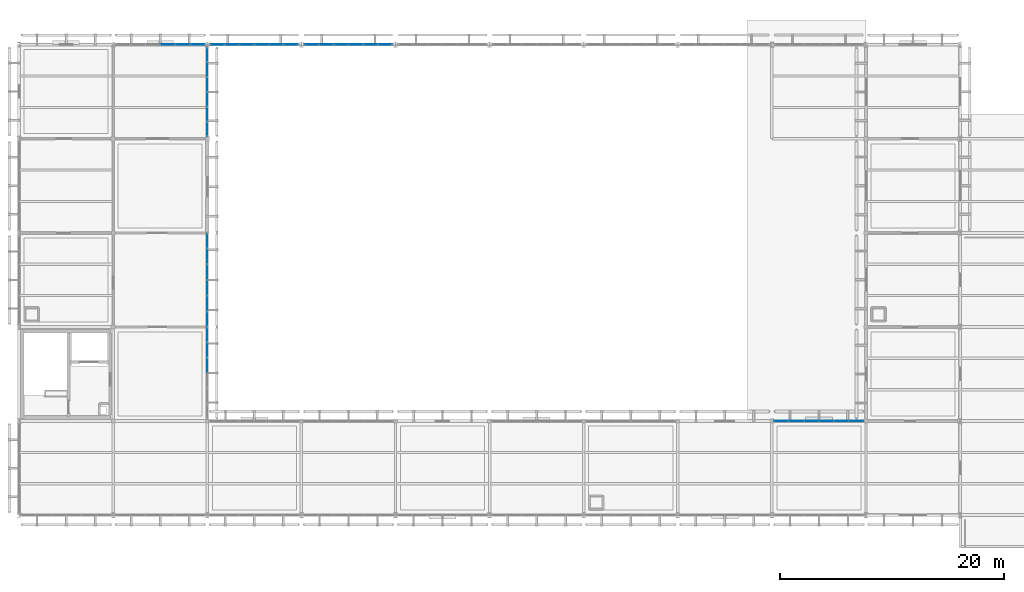
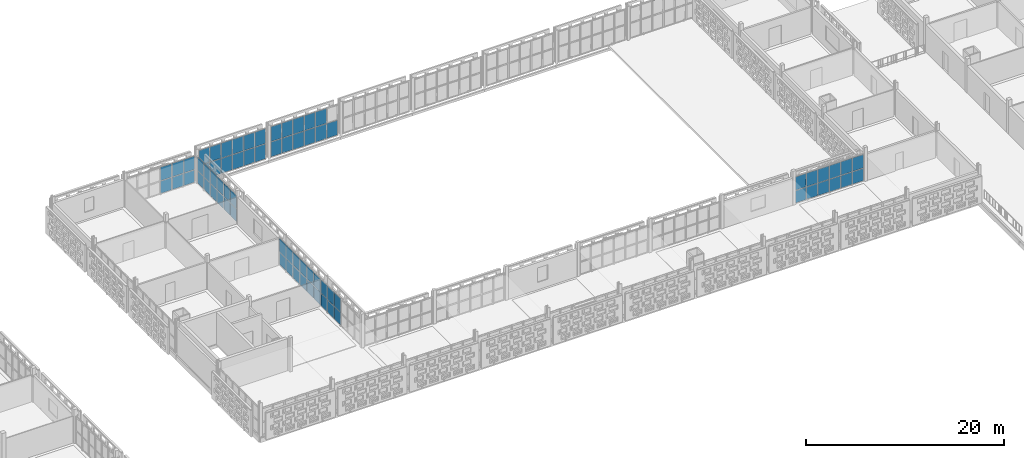
# One storey, part 78 of 140: 71 plates, 7 elements without a shape of their own.
"""IFC4 building model written with IfcOpenShell, lengths in metres."""

from ifc_helpers import new_model, si_unit, direction, frame, origin, origin_2d, place, context, subcontext, project, spatial, rectangle, extrude, material, layer, layer_set, type_object, element, aggregate, save


model = new_model("IFC4")

# Units and contexts
model_context = context("Model", 3, precision=1e-05, world=origin(), true_north=direction((0.0, 1.0)))
body_context = subcontext(model_context, "Body", "Model", "MODEL_VIEW")
ifc_project = project(units=[si_unit("LENGTHUNIT", "METRE"), si_unit("AREAUNIT", "SQUARE_METRE"), si_unit("VOLUMEUNIT", "CUBIC_METRE"), si_unit("PLANEANGLEUNIT", "RADIAN"), si_unit("MASSUNIT", "GRAM", prefix="KILO")], contexts=[model_context])

# Site, building, storey
site_placement = place(None, origin())
site = spatial("IfcSite", under=ifc_project, at=site_placement, CompositionType="ELEMENT")
building_placement = place(site_placement, origin())
building = spatial("IfcBuilding", under=site, at=building_placement, Name="Varnapada Polytechnic", CompositionType="ELEMENT")
storey_placement = place(building_placement, frame((0.0, 0.0, 13.800048828125)))
storey = spatial("IfcBuildingStorey", under=building, at=storey_placement, Name="L03", CompositionType="ELEMENT", Elevation=13.800048828125)

# Curtain wall, plates
ifc_material = material(Name="Double low-E laminated glass", Category="glass")
ifc_layer_1 = layer(ifc_material, 0.159912109375)
ifc_layer_set_1 = layer_set([ifc_layer_1], Name="Double low-E laminated glass")
curtain_wall_type = type_object("IfcCurtainWallType", Name="Curtain Wall CW-02", PredefinedType="NOTDEFINED", material=ifc_layer_set_1)
curtain_wall_1_placement = place(storey_placement, origin())
curtain_wall_1 = element("IfcCurtainWall", 1, at=curtain_wall_1_placement, inside=storey, type_object=curtain_wall_type, Name="L03 unitised curtain wall CW-02 (230)", PredefinedType="NOTDEFINED")
ifc_layer_2 = layer(ifc_material, 0.028076171875)
ifc_layer_set_2 = layer_set([ifc_layer_2], Name="Double low-E laminated glass")
plate_type = type_object("IfcPlateType", Name="Curtain Panel PNL-01", PredefinedType="CURTAIN_PANEL", material=ifc_layer_set_2)
plate_1_placement = place(storey_placement, frame((67.199951171875, 100.09912109375, 0.06005859375), z_axis=(0.0, 0.0, 1.0), x_axis=(0.0, -1.0, 0.0)))
plate_1 = element("IfcPlate", 2, at=plate_1_placement, type_object=plate_type, Name="CW-02 panel 1.1", PredefinedType="CURTAIN_PANEL", context=body_context, shape_type="SweptSolid", body=[
    extrude(rectangle(XDim=1.28173828125, YDim=0.028076171875, at=origin_2d()), origin(), (0.0, 0.0, 1.0), 1.522705078125),
])
plate_2_placement = place(storey_placement, frame((67.199951171875, 100.09912109375, 1.642822265625), z_axis=(0.0, 0.0, 1.0), x_axis=(0.0, -1.0, 0.0)))
plate_2 = element("IfcPlate", 3, at=plate_2_placement, type_object=plate_type, Name="CW-02 panel 1.2", PredefinedType="CURTAIN_PANEL", context=body_context, shape_type="SweptSolid", body=[
    extrude(rectangle(XDim=1.28173828125, YDim=0.028076171875, at=origin_2d()), origin(), (0.0, 0.0, 1.0), 1.6572265625),
])
plate_3_placement = place(storey_placement, frame((67.199951171875, 98.742431640625, 0.06005859375), z_axis=(0.0, 0.0, 1.0), x_axis=(0.0, -1.0, 0.0)))
plate_3 = element("IfcPlate", 4, at=plate_3_placement, type_object=plate_type, Name="CW-02 panel 2.1", PredefinedType="CURTAIN_PANEL", context=body_context, shape_type="SweptSolid", body=[
    extrude(rectangle(XDim=1.311767578125, YDim=0.028076171875, at=origin_2d()), origin(), (0.0, 0.0, 1.0), 1.522705078125),
])
plate_4_placement = place(storey_placement, frame((67.199951171875, 98.742431640625, 1.642822265625), z_axis=(0.0, 0.0, 1.0), x_axis=(0.0, -1.0, 0.0)))
plate_4 = element("IfcPlate", 5, at=plate_4_placement, type_object=plate_type, Name="CW-02 panel 2.2", PredefinedType="CURTAIN_PANEL", context=body_context, shape_type="SweptSolid", body=[
    extrude(rectangle(XDim=1.311767578125, YDim=0.028076171875, at=origin_2d()), origin(), (0.0, 0.0, 1.0), 1.6572265625),
])
plate_5_placement = place(storey_placement, frame((67.199951171875, 97.370849609375, 0.06005859375), z_axis=(0.0, 0.0, 1.0), x_axis=(0.0, -1.0, 0.0)))
plate_5 = element("IfcPlate", 6, at=plate_5_placement, type_object=plate_type, Name="CW-02 panel 3.1", PredefinedType="CURTAIN_PANEL", context=body_context, shape_type="SweptSolid", body=[
    extrude(rectangle(XDim=1.311767578125, YDim=0.028076171875, at=origin_2d()), origin(), (0.0, 0.0, 1.0), 1.522705078125),
])
plate_6_placement = place(storey_placement, frame((67.199951171875, 97.370849609375, 1.642822265625), z_axis=(0.0, 0.0, 1.0), x_axis=(0.0, -1.0, 0.0)))
plate_6 = element("IfcPlate", 7, at=plate_6_placement, type_object=plate_type, Name="CW-02 panel 3.2", PredefinedType="CURTAIN_PANEL", context=body_context, shape_type="SweptSolid", body=[
    extrude(rectangle(XDim=1.311767578125, YDim=0.028076171875, at=origin_2d()), origin(), (0.0, 0.0, 1.0), 1.6572265625),
])
aggregate(curtain_wall_1, [plate_1, plate_2, plate_3, plate_4, plate_5, plate_6])

curtain_wall_2_placement = place(storey_placement, origin())
curtain_wall_2 = element("IfcCurtainWall", 8, at=curtain_wall_2_placement, inside=storey, type_object=curtain_wall_type, Name="L03 unitised curtain wall CW-02 (231)", PredefinedType="NOTDEFINED")
plate_7_placement = place(storey_placement, frame((67.199951171875, 108.485107421875, 0.06005859375), z_axis=(0.0, 0.0, 1.0), x_axis=(0.0, -1.0, 0.0)))
plate_7 = element("IfcPlate", 9, at=plate_7_placement, type_object=plate_type, Name="CW-02 panel 1.1", PredefinedType="CURTAIN_PANEL", context=body_context, shape_type="SweptSolid", body=[
    extrude(rectangle(XDim=1.31005859375, YDim=0.028076171875, at=origin_2d()), origin(), (0.0, 0.0, 1.0), 1.522705078125),
])
plate_8_placement = place(storey_placement, frame((67.199951171875, 108.485107421875, 1.642822265625), z_axis=(0.0, 0.0, 1.0), x_axis=(0.0, -1.0, 0.0)))
plate_8 = element("IfcPlate", 10, at=plate_8_placement, type_object=plate_type, Name="CW-02 panel 1.2", PredefinedType="CURTAIN_PANEL", context=body_context, shape_type="SweptSolid", body=[
    extrude(rectangle(XDim=1.31005859375, YDim=0.028076171875, at=origin_2d()), origin(), (0.0, 0.0, 1.0), 1.6572265625),
])
plate_9_placement = place(storey_placement, frame((67.199951171875, 107.10009765625, 0.06005859375), z_axis=(0.0, 0.0, 1.0), x_axis=(0.0, -1.0, 0.0)))
plate_9 = element("IfcPlate", 11, at=plate_9_placement, type_object=plate_type, Name="CW-02 panel 2.1", PredefinedType="CURTAIN_PANEL", context=body_context, shape_type="SweptSolid", body=[
    extrude(rectangle(XDim=1.340087890625, YDim=0.028076171875, at=origin_2d()), origin(), (0.0, 0.0, 1.0), 1.522705078125),
])
plate_10_placement = place(storey_placement, frame((67.199951171875, 107.10009765625, 1.642822265625), z_axis=(0.0, 0.0, 1.0), x_axis=(0.0, -1.0, 0.0)))
plate_10 = element("IfcPlate", 12, at=plate_10_placement, type_object=plate_type, Name="CW-02 panel 2.2", PredefinedType="CURTAIN_PANEL", context=body_context, shape_type="SweptSolid", body=[
    extrude(rectangle(XDim=1.340087890625, YDim=0.028076171875, at=origin_2d()), origin(), (0.0, 0.0, 1.0), 1.6572265625),
])
plate_11_placement = place(storey_placement, frame((67.199951171875, 105.699951171875, 0.06005859375), z_axis=(0.0, 0.0, 1.0), x_axis=(0.0, -1.0, 0.0)))
plate_11 = element("IfcPlate", 13, at=plate_11_placement, type_object=plate_type, Name="CW-02 panel 3.1", PredefinedType="CURTAIN_PANEL", context=body_context, shape_type="SweptSolid", body=[
    extrude(rectangle(XDim=1.340087890625, YDim=0.028076171875, at=origin_2d()), origin(), (0.0, 0.0, 1.0), 1.522705078125),
])
plate_12_placement = place(storey_placement, frame((67.199951171875, 105.699951171875, 1.642822265625), z_axis=(0.0, 0.0, 1.0), x_axis=(0.0, -1.0, 0.0)))
plate_12 = element("IfcPlate", 14, at=plate_12_placement, type_object=plate_type, Name="CW-02 panel 3.2", PredefinedType="CURTAIN_PANEL", context=body_context, shape_type="SweptSolid", body=[
    extrude(rectangle(XDim=1.340087890625, YDim=0.028076171875, at=origin_2d()), origin(), (0.0, 0.0, 1.0), 1.6572265625),
])
plate_13_placement = place(storey_placement, frame((67.199951171875, 104.300048828125, 0.06005859375), z_axis=(0.0, 0.0, 1.0), x_axis=(0.0, -1.0, 0.0)))
plate_13 = element("IfcPlate", 15, at=plate_13_placement, type_object=plate_type, Name="CW-02 panel 4.1", PredefinedType="CURTAIN_PANEL", context=body_context, shape_type="SweptSolid", body=[
    extrude(rectangle(XDim=1.340087890625, YDim=0.028076171875, at=origin_2d()), origin(), (0.0, 0.0, 1.0), 1.522705078125),
])
plate_14_placement = place(storey_placement, frame((67.199951171875, 104.300048828125, 1.642822265625), z_axis=(0.0, 0.0, 1.0), x_axis=(0.0, -1.0, 0.0)))
plate_14 = element("IfcPlate", 16, at=plate_14_placement, type_object=plate_type, Name="CW-02 panel 4.2", PredefinedType="CURTAIN_PANEL", context=body_context, shape_type="SweptSolid", body=[
    extrude(rectangle(XDim=1.340087890625, YDim=0.028076171875, at=origin_2d()), origin(), (0.0, 0.0, 1.0), 1.6572265625),
])
plate_15_placement = place(storey_placement, frame((67.199951171875, 102.89990234375, 0.06005859375), z_axis=(0.0, 0.0, 1.0), x_axis=(0.0, -1.0, 0.0)))
plate_15 = element("IfcPlate", 17, at=plate_15_placement, type_object=plate_type, Name="CW-02 panel 5.1", PredefinedType="CURTAIN_PANEL", context=body_context, shape_type="SweptSolid", body=[
    extrude(rectangle(XDim=1.340087890625, YDim=0.028076171875, at=origin_2d()), origin(), (0.0, 0.0, 1.0), 1.522705078125),
])
plate_16_placement = place(storey_placement, frame((67.199951171875, 102.89990234375, 1.642822265625), z_axis=(0.0, 0.0, 1.0), x_axis=(0.0, -1.0, 0.0)))
plate_16 = element("IfcPlate", 18, at=plate_16_placement, type_object=plate_type, Name="CW-02 panel 5.2", PredefinedType="CURTAIN_PANEL", context=body_context, shape_type="SweptSolid", body=[
    extrude(rectangle(XDim=1.340087890625, YDim=0.028076171875, at=origin_2d()), origin(), (0.0, 0.0, 1.0), 1.6572265625),
])
plate_17_placement = place(storey_placement, frame((67.199951171875, 101.514892578125, 0.06005859375), z_axis=(0.0, 0.0, 1.0), x_axis=(0.0, -1.0, 0.0)))
plate_17 = element("IfcPlate", 19, at=plate_17_placement, type_object=plate_type, Name="CW-02 panel 6.1", PredefinedType="CURTAIN_PANEL", context=body_context, shape_type="SweptSolid", body=[
    extrude(rectangle(XDim=1.31005859375, YDim=0.028076171875, at=origin_2d()), origin(), (0.0, 0.0, 1.0), 1.522705078125),
])
plate_18_placement = place(storey_placement, frame((67.199951171875, 101.514892578125, 1.642822265625), z_axis=(0.0, 0.0, 1.0), x_axis=(0.0, -1.0, 0.0)))
plate_18 = element("IfcPlate", 20, at=plate_18_placement, type_object=plate_type, Name="CW-02 panel 6.2", PredefinedType="CURTAIN_PANEL", context=body_context, shape_type="SweptSolid", body=[
    extrude(rectangle(XDim=1.31005859375, YDim=0.028076171875, at=origin_2d()), origin(), (0.0, 0.0, 1.0), 1.6572265625),
])
aggregate(curtain_wall_2, [plate_7, plate_8, plate_9, plate_10, plate_11, plate_12, plate_13, plate_14, plate_15, plate_16, plate_17, plate_18])

curtain_wall_3_placement = place(storey_placement, origin())
curtain_wall_3 = element("IfcCurtainWall", 21, at=curtain_wall_3_placement, inside=storey, type_object=curtain_wall_type, Name="L03 unitised curtain wall CW-02 (232)", PredefinedType="NOTDEFINED")
plate_19_placement = place(storey_placement, frame((63.675048828125, 126.0, 0.06005859375), z_axis=(0.0, 0.0, 1.0), x_axis=(1.0, 0.0, 0.0)))
plate_19 = element("IfcPlate", 22, at=plate_19_placement, type_object=plate_type, Name="CW-02 panel 4.1", PredefinedType="CURTAIN_PANEL", context=body_context, shape_type="SweptSolid", body=[
    extrude(rectangle(XDim=1.2900390625, YDim=0.028076171875, at=origin_2d()), origin(), (0.0, 0.0, 1.0), 1.522705078125),
])
plate_20_placement = place(storey_placement, frame((63.675048828125, 126.0, 1.642822265625), z_axis=(0.0, 0.0, 1.0), x_axis=(1.0, 0.0, 0.0)))
plate_20 = element("IfcPlate", 23, at=plate_20_placement, type_object=plate_type, Name="CW-02 panel 4.2", PredefinedType="CURTAIN_PANEL", context=body_context, shape_type="SweptSolid", body=[
    extrude(rectangle(XDim=1.2900390625, YDim=0.028076171875, at=origin_2d()), origin(), (0.0, 0.0, 1.0), 1.6572265625),
])
plate_21_placement = place(storey_placement, frame((65.02490234375, 126.0, 0.06005859375), z_axis=(0.0, 0.0, 1.0), x_axis=(1.0, 0.0, 0.0)))
plate_21 = element("IfcPlate", 24, at=plate_21_placement, type_object=plate_type, Name="CW-02 panel 5.1", PredefinedType="CURTAIN_PANEL", context=body_context, shape_type="SweptSolid", body=[
    extrude(rectangle(XDim=1.2900390625, YDim=0.028076171875, at=origin_2d()), origin(), (0.0, 0.0, 1.0), 1.522705078125),
])
plate_22_placement = place(storey_placement, frame((65.02490234375, 126.0, 1.642822265625), z_axis=(0.0, 0.0, 1.0), x_axis=(1.0, 0.0, 0.0)))
plate_22 = element("IfcPlate", 25, at=plate_22_placement, type_object=plate_type, Name="CW-02 panel 5.2", PredefinedType="CURTAIN_PANEL", context=body_context, shape_type="SweptSolid", body=[
    extrude(rectangle(XDim=1.2900390625, YDim=0.028076171875, at=origin_2d()), origin(), (0.0, 0.0, 1.0), 1.6572265625),
])
plate_23_placement = place(storey_placement, frame((66.360107421875, 126.0, 0.06005859375), z_axis=(0.0, 0.0, 1.0), x_axis=(1.0, 0.0, 0.0)))
plate_23 = element("IfcPlate", 26, at=plate_23_placement, type_object=plate_type, Name="CW-02 panel 6.1", PredefinedType="CURTAIN_PANEL", context=body_context, shape_type="SweptSolid", body=[
    extrude(rectangle(XDim=1.260009765625, YDim=0.028076171875, at=origin_2d()), origin(), (0.0, 0.0, 1.0), 1.522705078125),
])
plate_24_placement = place(storey_placement, frame((66.360107421875, 126.0, 1.642822265625), z_axis=(0.0, 0.0, 1.0), x_axis=(1.0, 0.0, 0.0)))
plate_24 = element("IfcPlate", 27, at=plate_24_placement, type_object=plate_type, Name="CW-02 panel 6.2", PredefinedType="CURTAIN_PANEL", context=body_context, shape_type="SweptSolid", body=[
    extrude(rectangle(XDim=1.260009765625, YDim=0.028076171875, at=origin_2d()), origin(), (0.0, 0.0, 1.0), 1.6572265625),
])
aggregate(curtain_wall_3, [plate_19, plate_20, plate_21, plate_22, plate_23, plate_24])

curtain_wall_4_placement = place(storey_placement, origin())
curtain_wall_4 = element("IfcCurtainWall", 28, at=curtain_wall_4_placement, inside=storey, type_object=curtain_wall_type, Name="L03 unitised curtain wall CW-02 (233)", PredefinedType="NOTDEFINED")
plate_25_placement = place(storey_placement, frame((67.199951171875, 125.09375, 0.06005859375), z_axis=(0.0, 0.0, 1.0), x_axis=(0.0, -1.0, 0.0)))
plate_25 = element("IfcPlate", 29, at=plate_25_placement, type_object=plate_type, Name="CW-02 panel 1.1", PredefinedType="CURTAIN_PANEL", context=body_context, shape_type="SweptSolid", body=[
    extrude(rectangle(XDim=1.242431640625, YDim=0.028076171875, at=origin_2d()), origin(), (0.0, 0.0, 1.0), 1.522705078125),
])
plate_26_placement = place(storey_placement, frame((67.199951171875, 125.09375, 1.642822265625), z_axis=(0.0, 0.0, 1.0), x_axis=(0.0, -1.0, 0.0)))
plate_26 = element("IfcPlate", 30, at=plate_26_placement, type_object=plate_type, Name="CW-02 panel 1.2", PredefinedType="CURTAIN_PANEL", context=body_context, shape_type="SweptSolid", body=[
    extrude(rectangle(XDim=1.242431640625, YDim=0.028076171875, at=origin_2d()), origin(), (0.0, 0.0, 1.0), 1.6572265625),
])
plate_27_placement = place(storey_placement, frame((67.199951171875, 123.7763671875, 0.06005859375), z_axis=(0.0, 0.0, 1.0), x_axis=(0.0, -1.0, 0.0)))
plate_27 = element("IfcPlate", 31, at=plate_27_placement, type_object=plate_type, Name="CW-02 panel 2.1", PredefinedType="CURTAIN_PANEL", context=body_context, shape_type="SweptSolid", body=[
    extrude(rectangle(XDim=1.2724609375, YDim=0.028076171875, at=origin_2d()), origin(), (0.0, 0.0, 1.0), 1.522705078125),
])
plate_28_placement = place(storey_placement, frame((67.199951171875, 123.7763671875, 1.642822265625), z_axis=(0.0, 0.0, 1.0), x_axis=(0.0, -1.0, 0.0)))
plate_28 = element("IfcPlate", 32, at=plate_28_placement, type_object=plate_type, Name="CW-02 panel 2.2", PredefinedType="CURTAIN_PANEL", context=body_context, shape_type="SweptSolid", body=[
    extrude(rectangle(XDim=1.2724609375, YDim=0.028076171875, at=origin_2d()), origin(), (0.0, 0.0, 1.0), 1.6572265625),
])
plate_29_placement = place(storey_placement, frame((67.199951171875, 122.44384765625, 0.06005859375), z_axis=(0.0, 0.0, 1.0), x_axis=(0.0, -1.0, 0.0)))
plate_29 = element("IfcPlate", 33, at=plate_29_placement, type_object=plate_type, Name="CW-02 panel 3.1", PredefinedType="CURTAIN_PANEL", context=body_context, shape_type="SweptSolid", body=[
    extrude(rectangle(XDim=1.2724609375, YDim=0.028076171875, at=origin_2d()), origin(), (0.0, 0.0, 1.0), 1.522705078125),
])
plate_30_placement = place(storey_placement, frame((67.199951171875, 122.44384765625, 1.642822265625), z_axis=(0.0, 0.0, 1.0), x_axis=(0.0, -1.0, 0.0)))
plate_30 = element("IfcPlate", 34, at=plate_30_placement, type_object=plate_type, Name="CW-02 panel 3.2", PredefinedType="CURTAIN_PANEL", context=body_context, shape_type="SweptSolid", body=[
    extrude(rectangle(XDim=1.2724609375, YDim=0.028076171875, at=origin_2d()), origin(), (0.0, 0.0, 1.0), 1.6572265625),
])
plate_31_placement = place(storey_placement, frame((67.199951171875, 121.111328125, 0.06005859375), z_axis=(0.0, 0.0, 1.0), x_axis=(0.0, -1.0, 0.0)))
plate_31 = element("IfcPlate", 35, at=plate_31_placement, type_object=plate_type, Name="CW-02 panel 4.1", PredefinedType="CURTAIN_PANEL", context=body_context, shape_type="SweptSolid", body=[
    extrude(rectangle(XDim=1.2724609375, YDim=0.028076171875, at=origin_2d()), origin(), (0.0, 0.0, 1.0), 1.522705078125),
])
plate_32_placement = place(storey_placement, frame((67.199951171875, 121.111328125, 1.642822265625), z_axis=(0.0, 0.0, 1.0), x_axis=(0.0, -1.0, 0.0)))
plate_32 = element("IfcPlate", 36, at=plate_32_placement, type_object=plate_type, Name="CW-02 panel 4.2", PredefinedType="CURTAIN_PANEL", context=body_context, shape_type="SweptSolid", body=[
    extrude(rectangle(XDim=1.2724609375, YDim=0.028076171875, at=origin_2d()), origin(), (0.0, 0.0, 1.0), 1.6572265625),
])
plate_33_placement = place(storey_placement, frame((67.199951171875, 119.77880859375, 0.06005859375), z_axis=(0.0, 0.0, 1.0), x_axis=(0.0, -1.0, 0.0)))
plate_33 = element("IfcPlate", 37, at=plate_33_placement, type_object=plate_type, Name="CW-02 panel 5.1", PredefinedType="CURTAIN_PANEL", context=body_context, shape_type="SweptSolid", body=[
    extrude(rectangle(XDim=1.2724609375, YDim=0.028076171875, at=origin_2d()), origin(), (0.0, 0.0, 1.0), 1.522705078125),
])
plate_34_placement = place(storey_placement, frame((67.199951171875, 119.77880859375, 1.642822265625), z_axis=(0.0, 0.0, 1.0), x_axis=(0.0, -1.0, 0.0)))
plate_34 = element("IfcPlate", 38, at=plate_34_placement, type_object=plate_type, Name="CW-02 panel 5.2", PredefinedType="CURTAIN_PANEL", context=body_context, shape_type="SweptSolid", body=[
    extrude(rectangle(XDim=1.2724609375, YDim=0.028076171875, at=origin_2d()), origin(), (0.0, 0.0, 1.0), 1.6572265625),
])
plate_35_placement = place(storey_placement, frame((67.199951171875, 118.461181640625, 0.06005859375), z_axis=(0.0, 0.0, 1.0), x_axis=(0.0, -1.0, 0.0)))
plate_35 = element("IfcPlate", 39, at=plate_35_placement, type_object=plate_type, Name="CW-02 panel 6.1", PredefinedType="CURTAIN_PANEL", context=body_context, shape_type="SweptSolid", body=[
    extrude(rectangle(XDim=1.242431640625, YDim=0.028076171875, at=origin_2d()), origin(), (0.0, 0.0, 1.0), 1.522705078125),
])
plate_36_placement = place(storey_placement, frame((67.199951171875, 118.461181640625, 1.642822265625), z_axis=(0.0, 0.0, 1.0), x_axis=(0.0, -1.0, 0.0)))
plate_36 = element("IfcPlate", 40, at=plate_36_placement, type_object=plate_type, Name="CW-02 panel 6.2", PredefinedType="CURTAIN_PANEL", context=body_context, shape_type="SweptSolid", body=[
    extrude(rectangle(XDim=1.242431640625, YDim=0.028076171875, at=origin_2d()), origin(), (0.0, 0.0, 1.0), 1.6572265625),
])
aggregate(curtain_wall_4, [plate_25, plate_26, plate_27, plate_28, plate_29, plate_30, plate_31, plate_32, plate_33, plate_34, plate_35, plate_36])

curtain_wall_5_placement = place(storey_placement, origin())
curtain_wall_5 = element("IfcCurtainWall", 41, at=curtain_wall_5_placement, inside=storey, type_object=curtain_wall_type, Name="L03 unitised curtain wall CW-02 (245)", PredefinedType="NOTDEFINED")
plate_37_placement = place(storey_placement, frame((118.456787109375, 92.39990234375, 0.06005859375), z_axis=(0.0, 0.0, 1.0), x_axis=(1.0, 0.0, 0.0)))
plate_37 = element("IfcPlate", 42, at=plate_37_placement, type_object=plate_type, Name="CW-02 panel 1.1", PredefinedType="CURTAIN_PANEL", context=body_context, shape_type="SweptSolid", body=[
    extrude(rectangle(XDim=1.25341796875, YDim=0.028076171875, at=origin_2d()), origin(), (0.0, 0.0, 1.0), 1.522705078125),
])
plate_38_placement = place(storey_placement, frame((118.456787109375, 92.39990234375, 1.642822265625), z_axis=(0.0, 0.0, 1.0), x_axis=(1.0, 0.0, 0.0)))
plate_38 = element("IfcPlate", 43, at=plate_38_placement, type_object=plate_type, Name="CW-02 panel 1.2", PredefinedType="CURTAIN_PANEL", context=body_context, shape_type="SweptSolid", body=[
    extrude(rectangle(XDim=1.25341796875, YDim=0.028076171875, at=origin_2d()), origin(), (0.0, 0.0, 1.0), 1.6572265625),
])
plate_39_placement = place(storey_placement, frame((119.784912109375, 92.39990234375, 0.06005859375), z_axis=(0.0, 0.0, 1.0), x_axis=(1.0, 0.0, 0.0)))
plate_39 = element("IfcPlate", 44, at=plate_39_placement, type_object=plate_type, Name="CW-02 panel 2.1", PredefinedType="CURTAIN_PANEL", context=body_context, shape_type="SweptSolid", body=[
    extrude(rectangle(XDim=1.283447265625, YDim=0.028076171875, at=origin_2d()), origin(), (0.0, 0.0, 1.0), 1.522705078125),
])
plate_40_placement = place(storey_placement, frame((119.784912109375, 92.39990234375, 1.642822265625), z_axis=(0.0, 0.0, 1.0), x_axis=(1.0, 0.0, 0.0)))
plate_40 = element("IfcPlate", 45, at=plate_40_placement, type_object=plate_type, Name="CW-02 panel 2.2", PredefinedType="CURTAIN_PANEL", context=body_context, shape_type="SweptSolid", body=[
    extrude(rectangle(XDim=1.283447265625, YDim=0.028076171875, at=origin_2d()), origin(), (0.0, 0.0, 1.0), 1.6572265625),
])
plate_41_placement = place(storey_placement, frame((121.12841796875, 92.39990234375, 0.06005859375), z_axis=(0.0, 0.0, 1.0), x_axis=(1.0, 0.0, 0.0)))
plate_41 = element("IfcPlate", 46, at=plate_41_placement, type_object=plate_type, Name="CW-02 panel 3.1", PredefinedType="CURTAIN_PANEL", context=body_context, shape_type="SweptSolid", body=[
    extrude(rectangle(XDim=1.283447265625, YDim=0.028076171875, at=origin_2d()), origin(), (0.0, 0.0, 1.0), 1.522705078125),
])
plate_42_placement = place(storey_placement, frame((121.12841796875, 92.39990234375, 1.642822265625), z_axis=(0.0, 0.0, 1.0), x_axis=(1.0, 0.0, 0.0)))
plate_42 = element("IfcPlate", 47, at=plate_42_placement, type_object=plate_type, Name="CW-02 panel 3.2", PredefinedType="CURTAIN_PANEL", context=body_context, shape_type="SweptSolid", body=[
    extrude(rectangle(XDim=1.283447265625, YDim=0.028076171875, at=origin_2d()), origin(), (0.0, 0.0, 1.0), 1.6572265625),
])
plate_43_placement = place(storey_placement, frame((122.4716796875, 92.39990234375, 0.06005859375), z_axis=(0.0, 0.0, 1.0), x_axis=(1.0, 0.0, 0.0)))
plate_43 = element("IfcPlate", 48, at=plate_43_placement, type_object=plate_type, Name="CW-02 panel 4.1", PredefinedType="CURTAIN_PANEL", context=body_context, shape_type="SweptSolid", body=[
    extrude(rectangle(XDim=1.283447265625, YDim=0.028076171875, at=origin_2d()), origin(), (0.0, 0.0, 1.0), 1.522705078125),
])
plate_44_placement = place(storey_placement, frame((122.4716796875, 92.39990234375, 1.642822265625), z_axis=(0.0, 0.0, 1.0), x_axis=(1.0, 0.0, 0.0)))
plate_44 = element("IfcPlate", 49, at=plate_44_placement, type_object=plate_type, Name="CW-02 panel 4.2", PredefinedType="CURTAIN_PANEL", context=body_context, shape_type="SweptSolid", body=[
    extrude(rectangle(XDim=1.283447265625, YDim=0.028076171875, at=origin_2d()), origin(), (0.0, 0.0, 1.0), 1.6572265625),
])
plate_45_placement = place(storey_placement, frame((123.81494140625, 92.39990234375, 0.06005859375), z_axis=(0.0, 0.0, 1.0), x_axis=(1.0, 0.0, 0.0)))
plate_45 = element("IfcPlate", 50, at=plate_45_placement, type_object=plate_type, Name="CW-02 panel 5.1", PredefinedType="CURTAIN_PANEL", context=body_context, shape_type="SweptSolid", body=[
    extrude(rectangle(XDim=1.283447265625, YDim=0.028076171875, at=origin_2d()), origin(), (0.0, 0.0, 1.0), 1.522705078125),
])
plate_46_placement = place(storey_placement, frame((123.81494140625, 92.39990234375, 1.642822265625), z_axis=(0.0, 0.0, 1.0), x_axis=(1.0, 0.0, 0.0)))
plate_46 = element("IfcPlate", 51, at=plate_46_placement, type_object=plate_type, Name="CW-02 panel 5.2", PredefinedType="CURTAIN_PANEL", context=body_context, shape_type="SweptSolid", body=[
    extrude(rectangle(XDim=1.283447265625, YDim=0.028076171875, at=origin_2d()), origin(), (0.0, 0.0, 1.0), 1.6572265625),
])
plate_47_placement = place(storey_placement, frame((125.143310546875, 92.39990234375, 0.06005859375), z_axis=(0.0, 0.0, 1.0), x_axis=(1.0, 0.0, 0.0)))
plate_47 = element("IfcPlate", 52, at=plate_47_placement, type_object=plate_type, Name="CW-02 panel 6.1", PredefinedType="CURTAIN_PANEL", context=body_context, shape_type="SweptSolid", body=[
    extrude(rectangle(XDim=1.25341796875, YDim=0.028076171875, at=origin_2d()), origin(), (0.0, 0.0, 1.0), 1.522705078125),
])
plate_48_placement = place(storey_placement, frame((125.143310546875, 92.39990234375, 1.642822265625), z_axis=(0.0, 0.0, 1.0), x_axis=(1.0, 0.0, 0.0)))
plate_48 = element("IfcPlate", 53, at=plate_48_placement, type_object=plate_type, Name="CW-02 panel 6.2", PredefinedType="CURTAIN_PANEL", context=body_context, shape_type="SweptSolid", body=[
    extrude(rectangle(XDim=1.25341796875, YDim=0.028076171875, at=origin_2d()), origin(), (0.0, 0.0, 1.0), 1.6572265625),
])
aggregate(curtain_wall_5, [plate_37, plate_38, plate_39, plate_40, plate_41, plate_42, plate_43, plate_44, plate_45, plate_46, plate_47, plate_48])

curtain_wall_6_placement = place(storey_placement, origin())
curtain_wall_6 = element("IfcCurtainWall", 54, at=curtain_wall_6_placement, inside=storey, type_object=curtain_wall_type, Name="L03 high-bay workshop north curtain wall 9", PredefinedType="NOTDEFINED")
plate_49_placement = place(storey_placement, frame((68.123291015625, 126.0, 0.06005859375), z_axis=(0.0, 0.0, 1.0), x_axis=(1.0, 0.0, 0.0)))
plate_49 = element("IfcPlate", 55, at=plate_49_placement, type_object=plate_type, Name="CW-02 panel 1.1", PredefinedType="CURTAIN_PANEL", context=body_context, shape_type="SweptSolid", body=[
    extrude(rectangle(XDim=1.2265625, YDim=0.028076171875, at=origin_2d()), origin(), (0.0, 0.0, 1.0), 1.8349609375),
])
plate_50_placement = place(storey_placement, frame((68.123291015625, 126.0, 1.955078125), z_axis=(0.0, 0.0, 1.0), x_axis=(1.0, 0.0, 0.0)))
plate_50 = element("IfcPlate", 56, at=plate_50_placement, type_object=plate_type, Name="CW-02 panel 1.2", PredefinedType="CURTAIN_PANEL", context=body_context, shape_type="SweptSolid", body=[
    extrude(rectangle(XDim=1.2265625, YDim=0.028076171875, at=origin_2d()), origin(), (0.0, 0.0, 1.0), 1.8349609375),
])
plate_51_placement = place(storey_placement, frame((69.425048828125, 126.0, 0.06005859375), z_axis=(0.0, 0.0, 1.0), x_axis=(1.0, 0.0, 0.0)))
plate_51 = element("IfcPlate", 57, at=plate_51_placement, type_object=plate_type, Name="CW-02 panel 2.1", PredefinedType="CURTAIN_PANEL", context=body_context, shape_type="SweptSolid", body=[
    extrude(rectangle(XDim=1.256591796875, YDim=0.028076171875, at=origin_2d()), origin(), (0.0, 0.0, 1.0), 1.8349609375),
])
plate_52_placement = place(storey_placement, frame((69.425048828125, 126.0, 1.955078125), z_axis=(0.0, 0.0, 1.0), x_axis=(1.0, 0.0, 0.0)))
plate_52 = element("IfcPlate", 58, at=plate_52_placement, type_object=plate_type, Name="CW-02 panel 2.2", PredefinedType="CURTAIN_PANEL", context=body_context, shape_type="SweptSolid", body=[
    extrude(rectangle(XDim=1.256591796875, YDim=0.028076171875, at=origin_2d()), origin(), (0.0, 0.0, 1.0), 1.8349609375),
])
plate_53_placement = place(storey_placement, frame((70.74169921875, 126.0, 0.06005859375), z_axis=(0.0, 0.0, 1.0), x_axis=(1.0, 0.0, 0.0)))
plate_53 = element("IfcPlate", 59, at=plate_53_placement, type_object=plate_type, Name="CW-02 panel 3.1", PredefinedType="CURTAIN_PANEL", context=body_context, shape_type="SweptSolid", body=[
    extrude(rectangle(XDim=1.256591796875, YDim=0.028076171875, at=origin_2d()), origin(), (0.0, 0.0, 1.0), 1.8349609375),
])
plate_54_placement = place(storey_placement, frame((70.74169921875, 126.0, 1.955078125), z_axis=(0.0, 0.0, 1.0), x_axis=(1.0, 0.0, 0.0)))
plate_54 = element("IfcPlate", 60, at=plate_54_placement, type_object=plate_type, Name="CW-02 panel 3.2", PredefinedType="CURTAIN_PANEL", context=body_context, shape_type="SweptSolid", body=[
    extrude(rectangle(XDim=1.256591796875, YDim=0.028076171875, at=origin_2d()), origin(), (0.0, 0.0, 1.0), 1.8349609375),
])
plate_55_placement = place(storey_placement, frame((72.058349609375, 126.0, 0.06005859375), z_axis=(0.0, 0.0, 1.0), x_axis=(1.0, 0.0, 0.0)))
plate_55 = element("IfcPlate", 61, at=plate_55_placement, type_object=plate_type, Name="CW-02 panel 4.1", PredefinedType="CURTAIN_PANEL", context=body_context, shape_type="SweptSolid", body=[
    extrude(rectangle(XDim=1.256591796875, YDim=0.028076171875, at=origin_2d()), origin(), (0.0, 0.0, 1.0), 1.8349609375),
])
plate_56_placement = place(storey_placement, frame((72.058349609375, 126.0, 1.955078125), z_axis=(0.0, 0.0, 1.0), x_axis=(1.0, 0.0, 0.0)))
plate_56 = element("IfcPlate", 62, at=plate_56_placement, type_object=plate_type, Name="CW-02 panel 4.2", PredefinedType="CURTAIN_PANEL", context=body_context, shape_type="SweptSolid", body=[
    extrude(rectangle(XDim=1.256591796875, YDim=0.028076171875, at=origin_2d()), origin(), (0.0, 0.0, 1.0), 1.8349609375),
])
plate_57_placement = place(storey_placement, frame((73.375, 126.0, 0.06005859375), z_axis=(0.0, 0.0, 1.0), x_axis=(1.0, 0.0, 0.0)))
plate_57 = element("IfcPlate", 63, at=plate_57_placement, type_object=plate_type, Name="CW-02 panel 5.1", PredefinedType="CURTAIN_PANEL", context=body_context, shape_type="SweptSolid", body=[
    extrude(rectangle(XDim=1.256591796875, YDim=0.028076171875, at=origin_2d()), origin(), (0.0, 0.0, 1.0), 1.8349609375),
])
plate_58_placement = place(storey_placement, frame((73.375, 126.0, 1.955078125), z_axis=(0.0, 0.0, 1.0), x_axis=(1.0, 0.0, 0.0)))
plate_58 = element("IfcPlate", 64, at=plate_58_placement, type_object=plate_type, Name="CW-02 panel 5.2", PredefinedType="CURTAIN_PANEL", context=body_context, shape_type="SweptSolid", body=[
    extrude(rectangle(XDim=1.256591796875, YDim=0.028076171875, at=origin_2d()), origin(), (0.0, 0.0, 1.0), 1.8349609375),
])
plate_59_placement = place(storey_placement, frame((74.6767578125, 126.0, 0.06005859375), z_axis=(0.0, 0.0, 1.0), x_axis=(1.0, 0.0, 0.0)))
plate_59 = element("IfcPlate", 65, at=plate_59_placement, type_object=plate_type, Name="CW-02 panel 6.1", PredefinedType="CURTAIN_PANEL", context=body_context, shape_type="SweptSolid", body=[
    extrude(rectangle(XDim=1.2265625, YDim=0.028076171875, at=origin_2d()), origin(), (0.0, 0.0, 1.0), 1.8349609375),
])
plate_60_placement = place(storey_placement, frame((74.6767578125, 126.0, 1.955078125), z_axis=(0.0, 0.0, 1.0), x_axis=(1.0, 0.0, 0.0)))
plate_60 = element("IfcPlate", 66, at=plate_60_placement, type_object=plate_type, Name="CW-02 panel 6.2", PredefinedType="CURTAIN_PANEL", context=body_context, shape_type="SweptSolid", body=[
    extrude(rectangle(XDim=1.2265625, YDim=0.028076171875, at=origin_2d()), origin(), (0.0, 0.0, 1.0), 1.8349609375),
])
aggregate(curtain_wall_6, [plate_49, plate_50, plate_51, plate_52, plate_53, plate_54, plate_55, plate_56, plate_57, plate_58, plate_59, plate_60])

curtain_wall_7_placement = place(storey_placement, origin())
curtain_wall_7 = element("IfcCurtainWall", 67, at=curtain_wall_7_placement, inside=storey, type_object=curtain_wall_type, Name="L03 high-bay workshop north curtain wall 10", PredefinedType="NOTDEFINED")
plate_61_placement = place(storey_placement, frame((76.5234375, 126.0, 0.06005859375), z_axis=(0.0, 0.0, 1.0), x_axis=(1.0, 0.0, 0.0)))
plate_61 = element("IfcPlate", 68, at=plate_61_placement, type_object=plate_type, Name="CW-02 panel 1.1", PredefinedType="CURTAIN_PANEL", context=body_context, shape_type="SweptSolid", body=[
    extrude(rectangle(XDim=1.2265625, YDim=0.028076171875, at=origin_2d()), origin(), (0.0, 0.0, 1.0), 1.8349609375),
])
plate_62_placement = place(storey_placement, frame((76.5234375, 126.0, 1.955078125), z_axis=(0.0, 0.0, 1.0), x_axis=(1.0, 0.0, 0.0)))
plate_62 = element("IfcPlate", 69, at=plate_62_placement, type_object=plate_type, Name="CW-02 panel 1.2", PredefinedType="CURTAIN_PANEL", context=body_context, shape_type="SweptSolid", body=[
    extrude(rectangle(XDim=1.2265625, YDim=0.028076171875, at=origin_2d()), origin(), (0.0, 0.0, 1.0), 1.8349609375),
])
plate_63_placement = place(storey_placement, frame((77.824951171875, 126.0, 0.06005859375), z_axis=(0.0, 0.0, 1.0), x_axis=(1.0, 0.0, 0.0)))
plate_63 = element("IfcPlate", 70, at=plate_63_placement, type_object=plate_type, Name="CW-02 panel 2.1", PredefinedType="CURTAIN_PANEL", context=body_context, shape_type="SweptSolid", body=[
    extrude(rectangle(XDim=1.256591796875, YDim=0.028076171875, at=origin_2d()), origin(), (0.0, 0.0, 1.0), 1.8349609375),
])
plate_64_placement = place(storey_placement, frame((77.824951171875, 126.0, 1.955078125), z_axis=(0.0, 0.0, 1.0), x_axis=(1.0, 0.0, 0.0)))
plate_64 = element("IfcPlate", 71, at=plate_64_placement, type_object=plate_type, Name="CW-02 panel 2.2", PredefinedType="CURTAIN_PANEL", context=body_context, shape_type="SweptSolid", body=[
    extrude(rectangle(XDim=1.256591796875, YDim=0.028076171875, at=origin_2d()), origin(), (0.0, 0.0, 1.0), 1.8349609375),
])
plate_65_placement = place(storey_placement, frame((79.1416015625, 126.0, 0.06005859375), z_axis=(0.0, 0.0, 1.0), x_axis=(1.0, 0.0, 0.0)))
plate_65 = element("IfcPlate", 72, at=plate_65_placement, type_object=plate_type, Name="CW-02 panel 3.1", PredefinedType="CURTAIN_PANEL", context=body_context, shape_type="SweptSolid", body=[
    extrude(rectangle(XDim=1.256591796875, YDim=0.028076171875, at=origin_2d()), origin(), (0.0, 0.0, 1.0), 1.8349609375),
])
plate_66_placement = place(storey_placement, frame((79.1416015625, 126.0, 1.955078125), z_axis=(0.0, 0.0, 1.0), x_axis=(1.0, 0.0, 0.0)))
plate_66 = element("IfcPlate", 73, at=plate_66_placement, type_object=plate_type, Name="CW-02 panel 3.2", PredefinedType="CURTAIN_PANEL", context=body_context, shape_type="SweptSolid", body=[
    extrude(rectangle(XDim=1.256591796875, YDim=0.028076171875, at=origin_2d()), origin(), (0.0, 0.0, 1.0), 1.8349609375),
])
plate_67_placement = place(storey_placement, frame((80.458251953125, 126.0, 0.06005859375), z_axis=(0.0, 0.0, 1.0), x_axis=(1.0, 0.0, 0.0)))
plate_67 = element("IfcPlate", 74, at=plate_67_placement, type_object=plate_type, Name="CW-02 panel 4.1", PredefinedType="CURTAIN_PANEL", context=body_context, shape_type="SweptSolid", body=[
    extrude(rectangle(XDim=1.256591796875, YDim=0.028076171875, at=origin_2d()), origin(), (0.0, 0.0, 1.0), 1.8349609375),
])
plate_68_placement = place(storey_placement, frame((80.458251953125, 126.0, 1.955078125), z_axis=(0.0, 0.0, 1.0), x_axis=(1.0, 0.0, 0.0)))
plate_68 = element("IfcPlate", 75, at=plate_68_placement, type_object=plate_type, Name="CW-02 panel 4.2", PredefinedType="CURTAIN_PANEL", context=body_context, shape_type="SweptSolid", body=[
    extrude(rectangle(XDim=1.256591796875, YDim=0.028076171875, at=origin_2d()), origin(), (0.0, 0.0, 1.0), 1.8349609375),
])
plate_69_placement = place(storey_placement, frame((81.77490234375, 126.0, 0.06005859375), z_axis=(0.0, 0.0, 1.0), x_axis=(1.0, 0.0, 0.0)))
plate_69 = element("IfcPlate", 76, at=plate_69_placement, type_object=plate_type, Name="CW-02 panel 5.1", PredefinedType="CURTAIN_PANEL", context=body_context, shape_type="SweptSolid", body=[
    extrude(rectangle(XDim=1.256591796875, YDim=0.028076171875, at=origin_2d()), origin(), (0.0, 0.0, 1.0), 1.8349609375),
])
plate_70_placement = place(storey_placement, frame((81.77490234375, 126.0, 1.955078125), z_axis=(0.0, 0.0, 1.0), x_axis=(1.0, 0.0, 0.0)))
plate_70 = element("IfcPlate", 77, at=plate_70_placement, type_object=plate_type, Name="CW-02 panel 5.2", PredefinedType="CURTAIN_PANEL", context=body_context, shape_type="SweptSolid", body=[
    extrude(rectangle(XDim=1.256591796875, YDim=0.028076171875, at=origin_2d()), origin(), (0.0, 0.0, 1.0), 1.8349609375),
])
plate_71_placement = place(storey_placement, frame((83.07666015625, 126.0, 0.06005859375), z_axis=(0.0, 0.0, 1.0), x_axis=(1.0, 0.0, 0.0)))
plate_71 = element("IfcPlate", 78, at=plate_71_placement, type_object=plate_type, Name="CW-02 panel 6.1", PredefinedType="CURTAIN_PANEL", context=body_context, shape_type="SweptSolid", body=[
    extrude(rectangle(XDim=1.2265625, YDim=0.028076171875, at=origin_2d()), origin(), (0.0, 0.0, 1.0), 1.8349609375),
])
aggregate(curtain_wall_7, [plate_61, plate_62, plate_63, plate_64, plate_65, plate_66, plate_67, plate_68, plate_69, plate_70, plate_71])

save(model, "model.ifc")
